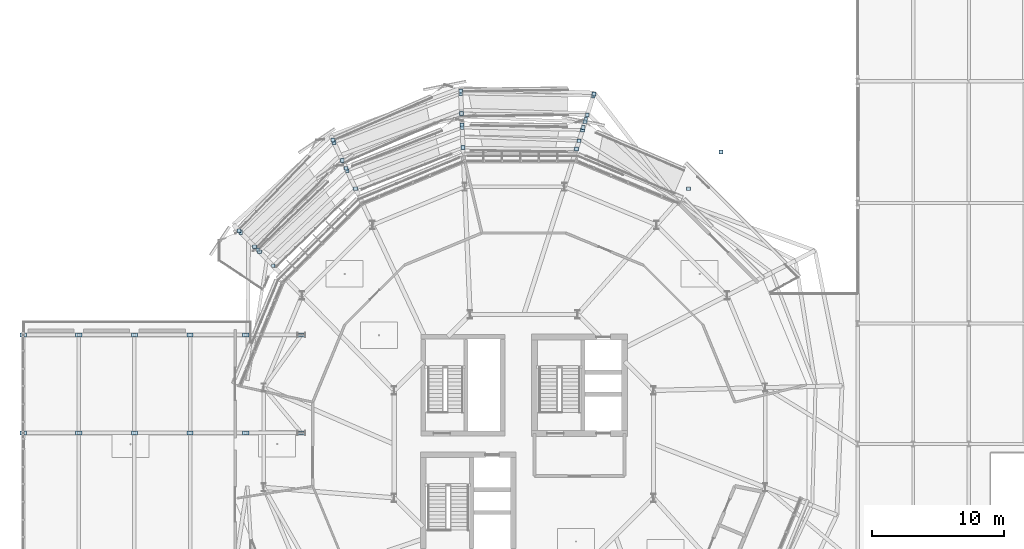
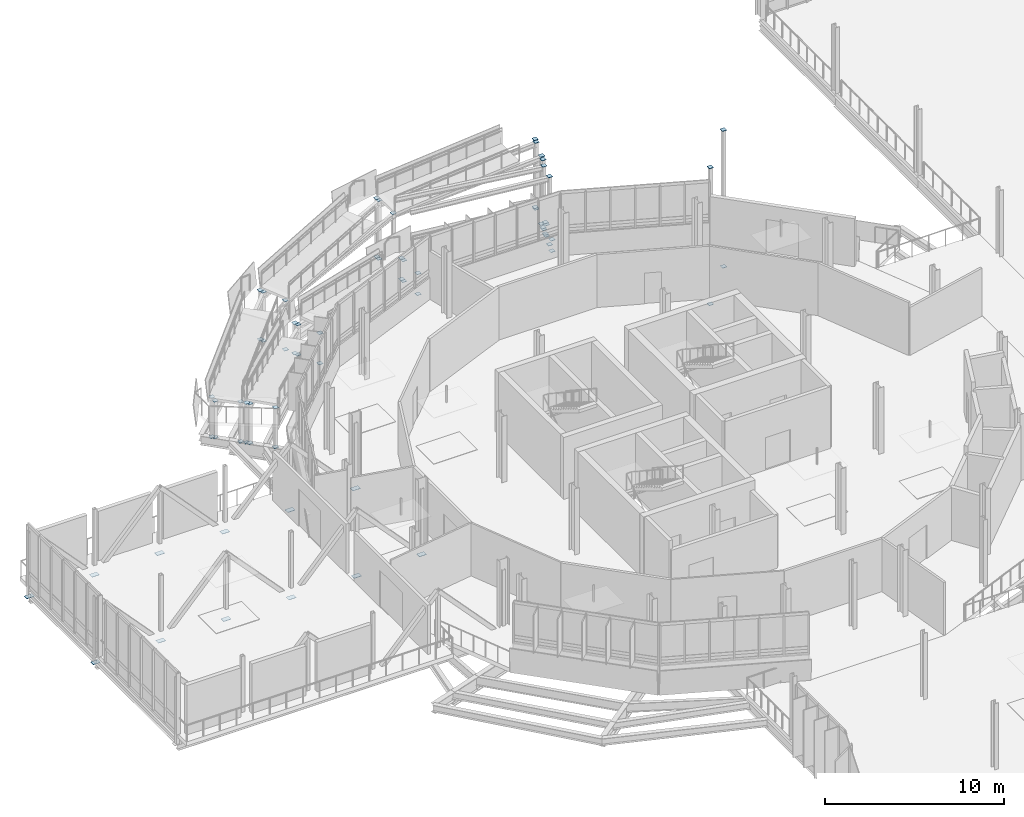
# One storey, part 98 of 139: 69 plates.
"""IFC4 building model written with IfcOpenShell, lengths in metres."""

from ifc_helpers import new_model, si_unit, derived_unit, direction, frame, origin, origin_2d, place, context, subcontext, project, spatial, rectangle, extrude, material, layer, layer_set, type_object, element, save


model = new_model("IFC4")

# Units and contexts
model_context = context("Model", 3, precision=1e-05, world=origin(), true_north=direction((0.0, 1.0)))
body_context = subcontext(model_context, "Body", "Model", "MODEL_VIEW")
ifc_project = project(units=[si_unit("LENGTHUNIT", "METRE"), si_unit("AREAUNIT", "SQUARE_METRE"), si_unit("VOLUMEUNIT", "CUBIC_METRE"), si_unit("PLANEANGLEUNIT", "RADIAN"), si_unit("MASSUNIT", "GRAM", prefix="KILO"), derived_unit("THERMALTRANSMITTANCEUNIT", [(si_unit("MASSUNIT", "GRAM", prefix="KILO"), 1), (si_unit("TIMEUNIT", "SECOND"), -3), (si_unit("THERMODYNAMICTEMPERATUREUNIT", "KELVIN"), -1)])], contexts=[model_context])

# Site, building, storey
site_placement = place(None, origin())
site = spatial("IfcSite", under=ifc_project, at=site_placement, CompositionType="ELEMENT")
building_placement = place(site_placement, origin())
building = spatial("IfcBuilding", under=site, at=building_placement, Name="Makaiwela Harbour Ferry Terminal", CompositionType="ELEMENT")
storey_placement = place(building_placement, frame((0.0, 0.0, 5.10009765625)))
storey = spatial("IfcBuildingStorey", under=building, at=storey_placement, Name="L01", CompositionType="ELEMENT", Elevation=5.10009765625)

# Plates
ifc_material = material(Name="Steel ASTM A572 Grade 50", Category="steel")
ifc_layer_1 = layer(ifc_material, 0.02001953125)
ifc_layer_set_1 = layer_set([ifc_layer_1], Name="Steel ASTM A572 Grade 50")
plate_type_1 = type_object("IfcPlateType", Name="STR-PLT-CAP1", PredefinedType="SHEET", material=ifc_layer_set_1)
for number, where, z_axis, x_axis, name in (
    (1, (16.436767578125, 83.5791015625, -0.317138671875), (0.0, 0.0, 1.0), (1.0, 0.0, 0.0), "Post Sealing Cap Plate PC-0067"),
    (2, (16.436767578125, 83.5791015625, 2.190673828125), (0.0, 0.0, 1.0), (1.0, 0.0, 0.0), "Post Sealing Cap Plate PC-0068"),
    (3, (16.30029296875, 83.719482421875, -0.317138671875), (0.0, 0.0, 1.0), (1.0, 0.0, 0.0), "Post Sealing Cap Plate PC-0069"),
    (4, (16.30029296875, 83.719482421875, 2.398193359375), (0.0, 0.0, 1.0), (1.0, 0.0, 0.0), "Post Sealing Cap Plate PC-0070"),
    (5, (17.4716796875, 82.5126953125, -0.317138671875), (0.0, 0.0, 1.0), (1.0, 0.0, 0.0), "Post Sealing Cap Plate PC-0081"),
    (6, (17.4716796875, 82.5126953125, 2.393310546875), (0.0, 0.0, 1.0), (1.0, 0.0, 0.0), "Post Sealing Cap Plate PC-0082"),
    (7, (17.709716796875, 82.26708984375, -0.317138671875), (0.0, 0.0, 1.0), (1.0, 0.0, 0.0), "Post Sealing Cap Plate PC-0085"),
    (8, (17.709716796875, 82.26708984375, 2.393310546875), (0.0, 0.0, 1.0), (1.0, 0.0, 0.0), "Post Sealing Cap Plate PC-0086"),
    (9, (17.83935546875, 82.1337890625, -0.317138671875), (0.0, 0.0, 1.0), (1.0, 0.0, 0.0), "Post Sealing Cap Plate PC-0087"),
    (10, (17.83935546875, 82.1337890625, 2.390380859375), (0.0, 0.0, 1.0), (1.0, 0.0, 0.0), "Post Sealing Cap Plate PC-0088"),
    (11, (18.874267578125, 81.0673828125, -0.317138671875), (0.0, 0.0, 1.0), (1.0, 0.0, 0.0), "Post Sealing Cap Plate PC-0093"),
    (12, (18.874267578125, 81.0673828125, 2.393310546875), (0.0, 0.0, 1.0), (1.0, 0.0, 0.0), "Post Sealing Cap Plate PC-0094"),
    (13, (23.4638671875, 90.381103515625, -0.317138671875), (0.0, 0.0, 1.0), (1.0, 0.0, 0.0), "Post Sealing Cap Plate PC-0109"),
    (14, (23.4638671875, 90.381103515625, 3.033203125), (0.0, 0.0, 1.0), (1.0, 0.0, 0.0), "Post Sealing Cap Plate PC-0110"),
    (15, (23.3798828125, 90.560302734375, -0.317138671875), (0.0, 0.0, 1.0), (1.0, 0.0, 0.0), "Post Sealing Cap Plate PC-0113"),
    (16, (23.3798828125, 90.560302734375, 3.041259765625), (0.0, 0.0, 1.0), (1.0, 0.0, 0.0), "Post Sealing Cap Plate PC-0114"),
    (17, (24.099853515625, 89.0205078125, -0.317138671875), (0.0, 0.0, 1.0), (1.0, 0.0, 0.0), "Post Sealing Cap Plate PC-0119"),
    (18, (24.099853515625, 89.0205078125, 3.0361328125), (0.0, 0.0, 1.0), (1.0, 0.0, 0.0), "Post Sealing Cap Plate PC-0120"),
    (19, (24.459228515625, 88.251220703125, -0.317138671875), (0.0, 0.0, 1.0), (1.0, 0.0, 0.0), "Post Sealing Cap Plate PC-0127"),
    (20, (24.459228515625, 88.251220703125, 1.74755859375), (0.0, 0.0, 1.0), (1.0, 0.0, 0.0), "Post Sealing Cap Plate PC-0128"),
    (21, (24.3759765625, 88.4296875, -0.317138671875), (0.0, 0.0, 1.0), (1.0, 0.0, 0.0), "Post Sealing Cap Plate PC-0129"),
    (22, (24.3759765625, 88.4296875, 1.75537109375), (0.0, 0.0, 1.0), (1.0, 0.0, 0.0), "Post Sealing Cap Plate PC-0130"),
    (23, (25.095703125, 86.8896484375, -0.317138671875), (0.0, 0.0, 1.0), (1.0, 0.0, 0.0), "Post Sealing Cap Plate PC-0137"),
    (24, (25.095703125, 86.8896484375, 1.75048828125), (0.0, 0.0, 1.0), (1.0, 0.0, 0.0), "Post Sealing Cap Plate PC-0138"),
    (25, (33.036376953125, 94.06396484375, -0.317138671875), (0.0, 0.0, 1.0), (1.0, 0.0, 0.0), "Post Sealing Cap Plate PC-0153"),
    (26, (33.036376953125, 94.06396484375, 3.676025390625), (0.0, 0.0, 1.0), (1.0, 0.0, 0.0), "Post Sealing Cap Plate PC-0154"),
    (27, (33.028076171875, 94.26171875, -0.317138671875), (0.0, 0.0, 1.0), (1.0, 0.0, 0.0), "Post Sealing Cap Plate PC-0155"),
    (28, (33.028076171875, 94.26171875, 3.68408203125), (0.0, 0.0, 1.0), (1.0, 0.0, 0.0), "Post Sealing Cap Plate PC-0156"),
    (29, (33.208984375, 89.991455078125, -0.317138671875), (0.0, 0.0, 1.0), (1.0, 0.0, 0.0), "Post Sealing Cap Plate PC-0161"),
    (30, (33.208984375, 89.991455078125, 1.107666015625), (0.0, 0.0, 1.0), (1.0, 0.0, 0.0), "Post Sealing Cap Plate PC-0162"),
    (31, (33.1455078125, 91.4921875, -0.317138671875), (0.0, 0.0, 1.0), (1.0, 0.0, 0.0), "Post Sealing Cap Plate PC-0169"),
    (32, (33.1455078125, 91.4921875, 1.1044921875), (0.0, 0.0, 1.0), (1.0, 0.0, 0.0), "Post Sealing Cap Plate PC-0170"),
    (33, (33.13720703125, 91.68896484375, -0.317138671875), (0.0, 0.0, 1.0), (1.0, 0.0, 0.0), "Post Sealing Cap Plate PC-0171"),
    (34, (33.13720703125, 91.68896484375, 1.112548828125), (0.0, 0.0, 1.0), (1.0, 0.0, 0.0), "Post Sealing Cap Plate PC-0172"),
    (35, (33.10009765625, 92.563232421875, 3.678955078125), (0.0, 0.0, 1.0), (1.0, 0.0, 0.0), "Post Sealing Cap Plate PC-0179"),
    (36, (41.77197265625, 89.87939453125, -0.317138671875), (0.0, 0.0, 1.0), (1.0, 0.0, 0.0), "Post Sealing Cap Plate PC-0188"),
    (37, (41.77197265625, 89.87939453125, 0.46484375), (0.0, 0.0, 1.0), (1.0, 0.0, 0.0), "Post Sealing Cap Plate PC-0189"),
    (38, (41.968994140625, 90.498779296875, -0.317138671875), (0.0, 0.0, 1.0), (1.0, 0.0, 0.0), "Post Sealing Cap Plate PC-0190"),
    (39, (41.968994140625, 90.498779296875, 4.32177734375), (0.0, 0.0, 1.0), (1.0, 0.0, 0.0), "Post Sealing Cap Plate PC-0191"),
    (40, (42.2294921875, 91.318359375, -0.317138671875), (0.0, 0.0, 1.0), (1.0, 0.0, 0.0), "Post Sealing Cap Plate PC-0198"),
    (41, (42.2294921875, 91.318359375, 0.4619140625), (0.0, 0.0, 1.0), (1.0, 0.0, 0.0), "Post Sealing Cap Plate PC-0199"),
    (42, (42.289794921875, 91.508056640625, -0.317138671875), (0.0, 0.0, 1.0), (1.0, 0.0, 0.0), "Post Sealing Cap Plate PC-0200"),
    (43, (42.289794921875, 91.508056640625, 0.4697265625), (0.0, 0.0, 1.0), (1.0, 0.0, 0.0), "Post Sealing Cap Plate PC-0201"),
    (44, (42.427001953125, 91.938720703125, -0.317138671875), (0.0, 0.0, 1.0), (1.0, 0.0, 0.0), "Post Sealing Cap Plate PC-0202"),
    (45, (42.427001953125, 91.938720703125, 4.015869140625), (0.0, 0.0, 1.0), (1.0, 0.0, 0.0), "Post Sealing Cap Plate PC-0203"),
    (46, (42.484130859375, 92.118896484375, -0.317138671875), (0.0, 0.0, 1.0), (1.0, 0.0, 0.0), "Post Sealing Cap Plate PC-0204"),
    (47, (42.484130859375, 92.118896484375, 4.32177734375), (0.0, 0.0, 1.0), (1.0, 0.0, 0.0), "Post Sealing Cap Plate PC-0205"),
    (48, (42.589599609375, 92.450439453125, -0.317138671875), (0.0, 0.0, 1.0), (1.0, 0.0, 0.0), "Post Sealing Cap Plate PC-0206"),
    (49, (42.589599609375, 92.450439453125, 4.32177734375), (0.0, 0.0, 1.0), (1.0, 0.0, 0.0), "Post Sealing Cap Plate PC-0207"),
    (50, (43.04736328125, 93.889404296875, -0.317138671875), (0.0, 0.0, 1.0), (1.0, 0.0, 0.0), "Post Sealing Cap Plate PC-0214"),
    (51, (43.04736328125, 93.889404296875, 4.239013671875), (0.0, 0.0, 1.0), (1.0, 0.0, 0.0), "Post Sealing Cap Plate PC-0215"),
    (52, (43.09326171875, 94.033447265625, -0.317138671875), (0.0, 0.0, 1.0), (1.0, 0.0, 0.0), "Post Sealing Cap Plate PC-0216"),
    (53, (43.09326171875, 94.033447265625, 4.32177734375), (0.0, 0.0, 1.0), (1.0, 0.0, 0.0), "Post Sealing Cap Plate PC-0217"),
    (54, (50.23291015625, 86.876220703125, -5.067138671875), (0.0, 0.0, 1.0), (1.0, 0.0, 0.0), "Post Sealing Cap Plate PC-0228"),
    (55, (50.23291015625, 86.876220703125, 4.246826171875), (0.0, 0.0, 1.0), (1.0, 0.0, 0.0), "Post Sealing Cap Plate PC-0229"),
    (56, (52.6884765625, 89.656005859375, -5.067138671875), (0.0, 0.0, 1.0), (1.0, 0.0, 0.0), "Post Sealing Cap Plate PC-0240"),
    (57, (52.6884765625, 89.656005859375, 4.246826171875), (0.0, 0.0, 1.0), (1.0, 0.0, 0.0), "Post Sealing Cap Plate PC-0241"),
):
    element("IfcPlate", number, at=place(storey_placement, frame(where, z_axis=z_axis, x_axis=x_axis)), inside=storey, type_object=plate_type_1, Name=name, PredefinedType="SHEET", context=body_context, shape_type="SweptSolid", body=[
        extrude(rectangle(XDim=0.280029296875, YDim=0.280029296875, at=origin_2d()), origin(), (0.0, 0.0, 1.0), 0.02001953125),
    ])
ifc_layer_2 = layer(ifc_material, 0.02001953125)
ifc_layer_set_2 = layer_set([ifc_layer_2], Name="Steel ASTM A572 Grade 50")
plate_type_2 = type_object("IfcPlateType", Name="STR-PLT-GUS2", PredefinedType="USERDEFINED", material=ifc_layer_set_2)
for number, where, z_axis, x_axis, name in (
    (58, (21.0, 68.449951171875, -0.715576171875), (0.0, 0.0, 1.0), (1.0, 0.0, 0.0), "Truss Gusset Plate GP-073"),
    (59, (16.800048828125, 68.449951171875, -0.715576171875), (0.0, 0.0, 1.0), (1.0, 0.0, 0.0), "Truss Gusset Plate GP-076"),
    (60, (12.60009765625, 68.449951171875, -0.715576171875), (0.0, 0.0, 1.0), (1.0, 0.0, 0.0), "Truss Gusset Plate GP-079"),
    (61, (8.39990234375, 68.449951171875, -0.715576171875), (0.0, 0.0, 1.0), (1.0, 0.0, 0.0), "Truss Gusset Plate GP-082"),
    (62, (4.199951171875, 68.449951171875, -0.715576171875), (0.0, 0.0, 1.0), (1.0, 0.0, 0.0), "Truss Gusset Plate GP-085"),
    (63, (0.0, 68.449951171875, -0.715576171875), (0.0, 0.0, 1.0), (1.0, 0.0, 0.0), "Truss Gusset Plate GP-088"),
    (64, (21.0, 75.85009765625, -0.715576171875), (0.0, 0.0, 1.0), (1.0, 0.0, 0.0), "Truss Gusset Plate GP-091"),
    (65, (16.800048828125, 75.85009765625, -0.715576171875), (0.0, 0.0, 1.0), (1.0, 0.0, 0.0), "Truss Gusset Plate GP-094"),
    (66, (12.60009765625, 75.85009765625, -0.715576171875), (0.0, 0.0, 1.0), (1.0, 0.0, 0.0), "Truss Gusset Plate GP-097"),
    (67, (8.39990234375, 75.85009765625, -0.715576171875), (0.0, 0.0, 1.0), (1.0, 0.0, 0.0), "Truss Gusset Plate GP-100"),
    (68, (4.199951171875, 75.85009765625, -0.715576171875), (0.0, 0.0, 1.0), (1.0, 0.0, 0.0), "Truss Gusset Plate GP-103"),
    (69, (0.0, 75.85009765625, -0.715576171875), (0.0, 0.0, 1.0), (1.0, 0.0, 0.0), "Truss Gusset Plate GP-106"),
):
    element("IfcPlate", number, at=place(storey_placement, frame(where, z_axis=z_axis, x_axis=x_axis)), inside=storey, type_object=plate_type_2, Name=name, ObjectType="GUSSET PLATE", PredefinedType="USERDEFINED", context=body_context, shape_type="SweptSolid", body=[
        extrude(rectangle(XDim=0.47998046875, YDim=0.320068359375, at=origin_2d()), origin(), (0.0, 0.0, 1.0), 0.02001953125),
    ])

save(model, "model.ifc")
